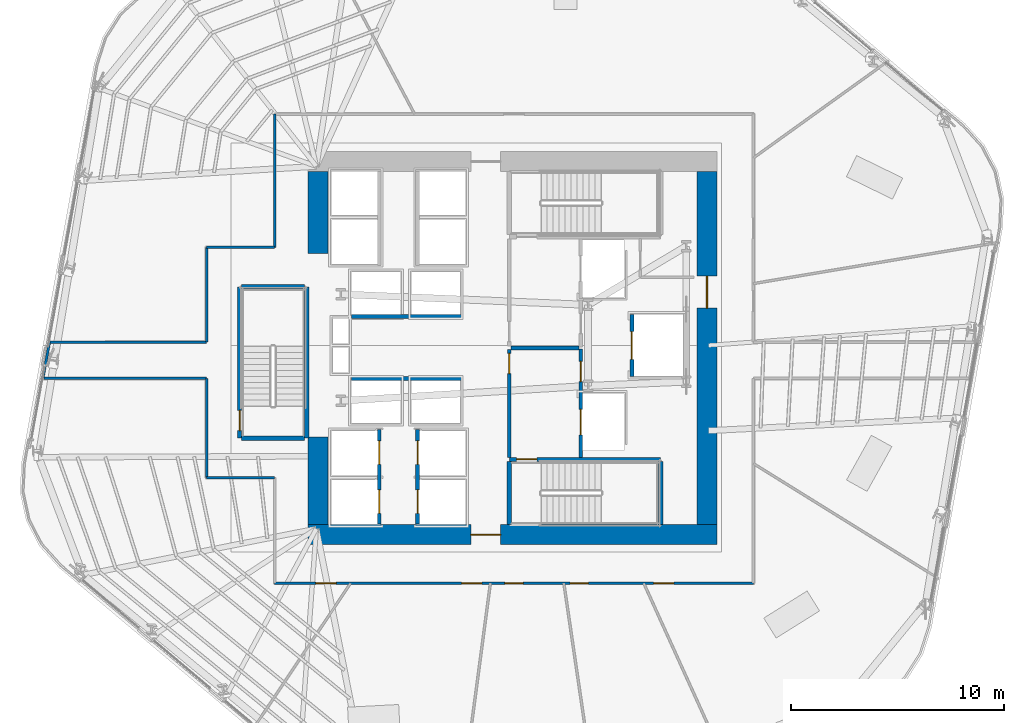
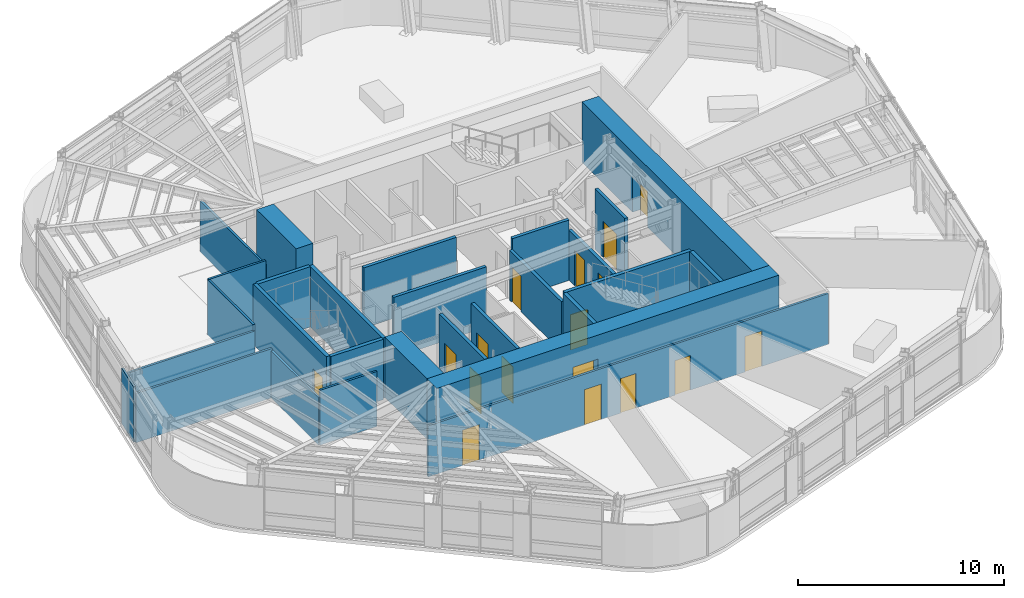
# One storey, part 9 of 18: 28 walls, 17 doors, 17 openings.
"""IFC4 building model written with IfcOpenShell, lengths in metres."""

from ifc_helpers import new_model, si_unit, direction, frame, frame_2d, origin, place, context, subcontext, project, spatial, rectangle, extrude, material, layer, layer_set, type_object, element, fill, save


model = new_model("IFC4")

# Units and contexts
model_context = context("Model", 3, precision=1e-05, world=origin(), true_north=direction((0.0, 1.0)))
body_context = subcontext(model_context, "Body", "Model", "MODEL_VIEW")
ifc_project = project(units=[si_unit("LENGTHUNIT", "METRE"), si_unit("AREAUNIT", "SQUARE_METRE"), si_unit("VOLUMEUNIT", "CUBIC_METRE"), si_unit("PLANEANGLEUNIT", "RADIAN"), si_unit("MASSUNIT", "GRAM", prefix="KILO")], contexts=[model_context])

# Site, building, storey
site_placement = place(None, origin())
site = spatial("IfcSite", under=ifc_project, at=site_placement, CompositionType="ELEMENT")
building_placement = place(site_placement, origin())
building = spatial("IfcBuilding", under=site, at=building_placement, Name="Valkerne Bourse Tower", CompositionType="ELEMENT")
storey_placement = place(building_placement, frame((0.0, 0.0, 108.60009765625)))
storey = spatial("IfcBuildingStorey", under=building, at=storey_placement, Name="L27", CompositionType="ELEMENT", Elevation=108.60009765625)

# Wall, opening, door
ifc_material_1 = material(Name="Concrete C70/85", Category="concrete")
ifc_layer_1 = layer(ifc_material_1, 0.949951171875)
ifc_layer_set_1 = layer_set([ifc_layer_1], Name="Concrete C70/85")
wall_type_1 = type_object("IfcWallType", Name="W-CORE-950", PredefinedType="SHEAR", material=ifc_layer_set_1)
wall_1_placement = place(storey_placement, frame((37.199951171875, 18.125, 0.0), z_axis=(0.0, 0.0, 1.0), x_axis=(1.0, 0.0, 0.0)))
wall_1 = element("IfcWall", 1, at=wall_1_placement, inside=storey, type_object=wall_type_1, Name="L27 Core Shear Wall SOUTH", PredefinedType="SHEAR", context=body_context, shape_type="SweptSolid", body=[
    extrude(rectangle(XDim=19.199951171875, YDim=0.949951171875, at=frame_2d((9.60009765625, 0.0))), origin(), (0.0, 0.0, 1.0), 3.579833984375),
])
opening_1_placement = place(wall_1_placement, frame((7.64990234375, 0.0, 0.0)))
opening_1 = element("IfcOpeningElement", 2, at=opening_1_placement, cuts=wall_1, Name="Opening D-PL-1400", PredefinedType="OPENING", context=body_context, shape_type="SweptSolid", body=[
    extrude(rectangle(XDim=1.39990234375, YDim=2.14990234375, at=frame_2d((0.699951171875, 1.074951171875))), frame((0.0, 0.48486328125, 0.0), z_axis=(0.0, -1.0, 0.0), x_axis=(1.0, 0.0, 0.0)), (0.0, 0.0, 1.0), 0.969970703125),
])
ifc_material_2 = material(Name="Galvanised Painted Steel", Category="steel")
door_type_1 = type_object("IfcDoorType", Name="DR-PLT-1400", OperationType="DOUBLE_DOOR_SINGLE_SWING", PredefinedType="DOOR", material=ifc_material_2)
door_1_placement = place(opening_1_placement, origin())
door_1 = element("IfcDoor", 3, at=door_1_placement, inside=storey, type_object=door_type_1, Name="L27 South Passenger Lift Hall Fire Door", OperationType="DOUBLE_DOOR_SINGLE_SWING", OverallHeight=2.14990234375, OverallWidth=1.39990234375, PredefinedType="DOOR", context=body_context, shape_type="SweptSolid", body=[
    extrude(rectangle(XDim=1.39990234375, YDim=2.14990234375, at=frame_2d((0.699951171875, 1.074951171875))), frame((0.0, 0.02490234375, 0.0), z_axis=(0.0, -1.0, 0.0), x_axis=(1.0, 0.0, 0.0)), (0.0, 0.0, 1.0), 0.050048828125),
])
fill(opening_1, door_1)

wall_2_placement = place(storey_placement, frame((55.925048828125, 18.60009765625, 0.0), z_axis=(0.0, 0.0, 1.0), x_axis=(0.0, 1.0, 0.0)))
wall_2 = element("IfcWall", 4, at=wall_2_placement, inside=storey, type_object=wall_type_1, Name="L27 Core Shear Wall EAST", PredefinedType="SHEAR", context=body_context, shape_type="SweptSolid", body=[
    extrude(rectangle(XDim=16.5498046875, YDim=0.949951171875, at=frame_2d((8.27490234375, 0.0))), origin(), (0.0, 0.0, 1.0), 3.579833984375),
])
opening_2_placement = place(wall_2_placement, frame((10.14990234375, 0.0, 0.0)))
opening_2 = element("IfcOpeningElement", 5, at=opening_2_placement, cuts=wall_2, Name="Opening D-CR-1500", PredefinedType="OPENING", context=body_context, shape_type="SweptSolid", body=[
    extrude(rectangle(XDim=1.5, YDim=2.14990234375, at=frame_2d((0.75, 1.074951171875))), frame((0.0, 0.48486328125, 0.0), z_axis=(0.0, -1.0, 0.0), x_axis=(1.0, 0.0, 0.0)), (0.0, 0.0, 1.0), 0.969970703125),
])
door_type_2 = type_object("IfcDoorType", Name="DR-CORR-1500", OperationType="DOUBLE_DOOR_SINGLE_SWING", PredefinedType="DOOR", material=ifc_material_2)
door_2_placement = place(opening_2_placement, origin())
door_2 = element("IfcDoor", 6, at=door_2_placement, inside=storey, type_object=door_type_2, Name="L27 East Core Service Lobby Fire Door", OperationType="DOUBLE_DOOR_SINGLE_SWING", OverallHeight=2.14990234375, OverallWidth=1.5, PredefinedType="DOOR", context=body_context, shape_type="SweptSolid", body=[
    extrude(rectangle(XDim=1.5, YDim=2.14990234375, at=frame_2d((0.75, 1.074951171875))), frame((0.0, 0.02490234375, 0.0), z_axis=(0.0, -1.0, 0.0), x_axis=(1.0, 0.0, 0.0)), (0.0, 0.0, 1.0), 0.050048828125),
])
fill(opening_2, door_2)

# Walls
wall_3_placement = place(storey_placement, frame((37.675048828125, 18.60009765625, 0.0), z_axis=(0.0, 0.0, 1.0), x_axis=(0.0, 1.0, 0.0)))
element("IfcWall", 7, at=wall_3_placement, inside=storey, type_object=wall_type_1, Name="L27 Core Shear Wall WEST-S", PredefinedType="SHEAR", context=body_context, shape_type="SweptSolid", body=[
    extrude(rectangle(XDim=4.099853515625, YDim=0.949951171875, at=frame_2d((2.0498046875, 0.0))), origin(), (0.0, 0.0, 1.0), 3.579833984375),
])
wall_4_placement = place(storey_placement, frame((37.675048828125, 31.300048828125, 0.0), z_axis=(0.0, 0.0, 1.0), x_axis=(0.0, 1.0, 0.0)))
element("IfcWall", 8, at=wall_4_placement, inside=storey, type_object=wall_type_1, Name="L27 Core Shear Wall WEST-N", PredefinedType="SHEAR", context=body_context, shape_type="SweptSolid", body=[
    extrude(rectangle(XDim=3.849853515625, YDim=0.949951171875, at=frame_2d((1.9248046875, 0.0))), origin(), (0.0, 0.0, 1.0), 3.579833984375),
])

# Wall, openings, doors
ifc_material_3 = material(Name="Gypsum Board Steel-Stud Partition", Category="steel")
ifc_layer_2 = layer(ifc_material_3, 0.117919921875)
ifc_layer_set_2 = layer_set([ifc_layer_2], Name="Gypsum Board Steel-Stud Partition")
wall_type_2 = type_object("IfcWallType", Name="W-CORR-140", PredefinedType="PARTITIONING", material=ifc_layer_set_2)
wall_5_placement = place(storey_placement, frame((58.10009765625, 15.85009765625, 0.0), z_axis=(0.0, 0.0, 1.0), x_axis=(-1.0, 0.0, 0.0)))
wall_5 = element("IfcWall", 9, at=wall_5_placement, inside=storey, type_object=wall_type_2, Name="L27 Corridor Enclosure Wall", PredefinedType="PARTITIONING", context=body_context, shape_type="SweptSolid", body=[
    extrude(rectangle(XDim=22.4501953125, YDim=0.117919921875, at=frame_2d((11.22509765625, 0.0))), origin(), (0.0, 0.0, 1.0), 3.021240234375),
])
opening_3_placement = place(wall_5_placement, frame((7.735107421875, 0.0, 0.0)))
opening_3 = element("IfcOpeningElement", 10, at=opening_3_placement, cuts=wall_5, Name="Opening D-WC-900", PredefinedType="OPENING", context=body_context, shape_type="SweptSolid", body=[
    extrude(rectangle(XDim=0.860107421875, YDim=2.050048828125, at=frame_2d((0.43017578125, 1.02490234375))), frame((0.0, 0.06884765625, 0.0), z_axis=(0.0, -1.0, 0.0), x_axis=(1.0, 0.0, 0.0)), (0.0, 0.0, 1.0), 0.137939453125),
])
opening_4_placement = place(wall_5_placement, frame((10.794921875, 0.0, 0.0)))
opening_4 = element("IfcOpeningElement", 11, at=opening_4_placement, cuts=wall_5, Name="Opening D-WC-900", PredefinedType="OPENING", context=body_context, shape_type="SweptSolid", body=[
    extrude(rectangle(XDim=0.860107421875, YDim=2.050048828125, at=frame_2d((0.43017578125, 1.02490234375))), frame((0.0, 0.06884765625, 0.0), z_axis=(0.0, -1.0, 0.0), x_axis=(1.0, 0.0, 0.0)), (0.0, 0.0, 1.0), 0.137939453125),
])
opening_5_placement = place(wall_5_placement, frame((12.72998046875, 0.0, 0.0)))
opening_5 = element("IfcOpeningElement", 12, at=opening_5_placement, cuts=wall_5, Name="Opening D-OF-950", PredefinedType="OPENING", context=body_context, shape_type="SweptSolid", body=[
    extrude(rectangle(XDim=0.949951171875, YDim=2.10009765625, at=frame_2d((0.47509765625, 1.050048828125))), frame((0.0, 0.06884765625, 0.0), z_axis=(0.0, -1.0, 0.0), x_axis=(1.0, 0.0, 0.0)), (0.0, 0.0, 1.0), 0.137939453125),
])
opening_6_placement = place(wall_5_placement, frame((3.72998046875, 0.0, 0.0)))
opening_6 = element("IfcOpeningElement", 13, at=opening_6_placement, cuts=wall_5, Name="Opening D-OF-950", PredefinedType="OPENING", context=body_context, shape_type="SweptSolid", body=[
    extrude(rectangle(XDim=0.949951171875, YDim=2.10009765625, at=frame_2d((0.47509765625, 1.050048828125))), frame((0.0, 0.06884765625, 0.0), z_axis=(0.0, -1.0, 0.0), x_axis=(1.0, 0.0, 0.0)), (0.0, 0.0, 1.0), 0.137939453125),
])
opening_7_placement = place(wall_5_placement, frame((19.570068359375, 0.0, 0.0)))
opening_7 = element("IfcOpeningElement", 14, at=opening_7_placement, cuts=wall_5, Name="Opening D-OF-950", PredefinedType="OPENING", context=body_context, shape_type="SweptSolid", body=[
    extrude(rectangle(XDim=0.949951171875, YDim=2.10009765625, at=frame_2d((0.47509765625, 1.050048828125))), frame((0.0, 0.06884765625, 0.0), z_axis=(0.0, -1.0, 0.0), x_axis=(1.0, 0.0, 0.0)), (0.0, 0.0, 1.0), 0.137939453125),
])
ifc_material_4 = material(Name="Architectural White Oak Timber", Category="wood")
door_type_3 = type_object("IfcDoorType", Name="DR-OFF-950", OperationType="NOTDEFINED", PredefinedType="DOOR", material=ifc_material_4)
door_3_placement = place(opening_5_placement, origin())
door_3 = element("IfcDoor", 15, at=door_3_placement, inside=storey, type_object=door_type_3, Name="L27 L27 Trading Desk Office 4 Door", OperationType="SINGLE_SWING_LEFT", OverallHeight=2.10009765625, OverallWidth=0.949951171875, PredefinedType="DOOR", context=body_context, shape_type="SweptSolid", body=[
    extrude(rectangle(XDim=0.949951171875, YDim=2.10009765625, at=frame_2d((0.47509765625, 1.050048828125))), frame((0.0, 0.02490234375, 0.0), z_axis=(0.0, -1.0, 0.0), x_axis=(1.0, 0.0, 0.0)), (0.0, 0.0, 1.0), 0.050048828125),
])
fill(opening_5, door_3)
door_4_placement = place(opening_6_placement, origin())
door_4 = element("IfcDoor", 16, at=door_4_placement, inside=storey, type_object=door_type_3, Name="L27 L27 Member Collaboration Club Salon 5 Door", OperationType="SINGLE_SWING_LEFT", OverallHeight=2.10009765625, OverallWidth=0.949951171875, PredefinedType="DOOR", context=body_context, shape_type="SweptSolid", body=[
    extrude(rectangle(XDim=0.949951171875, YDim=2.10009765625, at=frame_2d((0.47509765625, 1.050048828125))), frame((0.0, 0.02490234375, 0.0), z_axis=(0.0, -1.0, 0.0), x_axis=(1.0, 0.0, 0.0)), (0.0, 0.0, 1.0), 0.050048828125),
])
fill(opening_6, door_4)
door_5_placement = place(opening_7_placement, origin())
door_5 = element("IfcDoor", 17, at=door_5_placement, inside=storey, type_object=door_type_3, Name="L27 L27 Hospitality Catering Kitchen 8 Door", OperationType="SINGLE_SWING_RIGHT", OverallHeight=2.10009765625, OverallWidth=0.949951171875, PredefinedType="DOOR", context=body_context, shape_type="SweptSolid", body=[
    extrude(rectangle(XDim=0.949951171875, YDim=2.10009765625, at=frame_2d((0.47509765625, 1.050048828125))), frame((0.0, 0.02490234375, 0.0), z_axis=(0.0, -1.0, 0.0), x_axis=(1.0, 0.0, 0.0)), (0.0, 0.0, 1.0), 0.050048828125),
])
fill(opening_7, door_5)
door_type_4 = type_object("IfcDoorType", Name="DR-WC-900", OperationType="NOTDEFINED", PredefinedType="DOOR", material=ifc_material_4)
door_6_placement = place(opening_3_placement, origin())
door_6 = element("IfcDoor", 18, at=door_6_placement, inside=storey, type_object=door_type_4, Name="L27 L27 Men Bathroom WC 1 Door", OperationType="SINGLE_SWING_LEFT", OverallHeight=2.050048828125, OverallWidth=0.860107421875, PredefinedType="DOOR", context=body_context, shape_type="SweptSolid", body=[
    extrude(rectangle(XDim=0.860107421875, YDim=2.050048828125, at=frame_2d((0.43017578125, 1.02490234375))), frame((0.0, 0.02490234375, 0.0), z_axis=(0.0, -1.0, 0.0), x_axis=(1.0, 0.0, 0.0)), (0.0, 0.0, 1.0), 0.050048828125),
])
fill(opening_3, door_6)
door_7_placement = place(opening_4_placement, origin())
door_7 = element("IfcDoor", 19, at=door_7_placement, inside=storey, type_object=door_type_4, Name="L27 L27 Women Restroom & Shower WC 2 Door", OperationType="SINGLE_SWING_LEFT", OverallHeight=2.050048828125, OverallWidth=0.860107421875, PredefinedType="DOOR", context=body_context, shape_type="SweptSolid", body=[
    extrude(rectangle(XDim=0.860107421875, YDim=2.050048828125, at=frame_2d((0.43017578125, 1.02490234375))), frame((0.0, 0.02490234375, 0.0), z_axis=(0.0, -1.0, 0.0), x_axis=(1.0, 0.0, 0.0)), (0.0, 0.0, 1.0), 0.050048828125),
])
fill(opening_4, door_7)

# Walls
wall_6_placement = place(storey_placement, frame((35.64990234375, 20.800048828125, 0.0), z_axis=(0.0, 0.0, 1.0), x_axis=(-1.0, 0.0, 0.0)))
element("IfcWall", 20, at=wall_6_placement, inside=storey, type_object=wall_type_2, Name="L27 Corridor Enclosure Wall", PredefinedType="PARTITIONING", context=body_context, shape_type="SweptSolid", body=[
    extrude(rectangle(XDim=3.199951171875, YDim=0.117919921875, at=frame_2d((1.60009765625, 0.0))), origin(), (0.0, 0.0, 1.0), 3.260009765625),
])
wall_7_placement = place(storey_placement, frame((32.449951171875, 20.800048828125, 0.0), z_axis=(0.0, 0.0, 1.0), x_axis=(0.0, 1.0, 0.0)))
element("IfcWall", 21, at=wall_7_placement, inside=storey, type_object=wall_type_2, Name="L27 Corridor Enclosure Wall", PredefinedType="PARTITIONING", context=body_context, shape_type="SweptSolid", body=[
    extrude(rectangle(XDim=4.64990234375, YDim=0.117919921875, at=frame_2d((2.324951171875, 0.0))), origin(), (0.0, 0.0, 1.0), 2.80029296875),
])
wall_8_placement = place(storey_placement, frame((32.449951171875, 25.449951171875, 0.0), z_axis=(0.0, 0.0, 1.0), x_axis=(-1.0, 0.0, 0.0)))
element("IfcWall", 22, at=wall_8_placement, inside=storey, type_object=wall_type_2, Name="L27 Corridor Enclosure Wall", PredefinedType="PARTITIONING", context=body_context, shape_type="SweptSolid", body=[
    extrude(rectangle(XDim=7.6298828125, YDim=0.117919921875, at=frame_2d((3.81494140625, 0.0))), origin(), (0.0, 0.0, 1.0), 2.92236328125),
])
wall_9_placement = place(storey_placement, frame((24.783203125, 25.494384765625, 0.0), z_axis=(0.0, 0.0, 1.0), x_axis=(0.179179080807, 0.983816475264, 0.0)))
element("IfcWall", 23, at=wall_9_placement, inside=storey, type_object=wall_type_2, Name="L27 Corridor Enclosure Wall", PredefinedType="PARTITIONING", context=body_context, shape_type="SweptSolid", body=[
    extrude(rectangle(XDim=1.682861328125, YDim=0.117919921875, at=frame_2d((0.84130859375, 0.0))), origin(), (0.0, 0.0, 1.0), 3.27978515625),
])
wall_10_placement = place(storey_placement, frame((25.084716796875, 27.14990234375, 0.0), z_axis=(0.0, 0.0, 1.0), x_axis=(1.0, 0.0, 0.0)))
element("IfcWall", 24, at=wall_10_placement, inside=storey, type_object=wall_type_2, Name="L27 Corridor Enclosure Wall", PredefinedType="PARTITIONING", context=body_context, shape_type="SweptSolid", body=[
    extrude(rectangle(XDim=7.365234375, YDim=0.117919921875, at=frame_2d((3.6826171875, 0.0))), origin(), (0.0, 0.0, 1.0), 2.92236328125),
])
wall_11_placement = place(storey_placement, frame((32.449951171875, 27.14990234375, 0.0), z_axis=(0.0, 0.0, 1.0), x_axis=(0.0, 1.0, 0.0)))
element("IfcWall", 25, at=wall_11_placement, inside=storey, type_object=wall_type_2, Name="L27 Corridor Enclosure Wall", PredefinedType="PARTITIONING", context=body_context, shape_type="SweptSolid", body=[
    extrude(rectangle(XDim=4.4501953125, YDim=0.117919921875, at=frame_2d((2.22509765625, 0.0))), origin(), (0.0, 0.0, 1.0), 3.27978515625),
])
wall_12_placement = place(storey_placement, frame((32.449951171875, 31.60009765625, 0.0), z_axis=(0.0, 0.0, 1.0), x_axis=(1.0, 0.0, 0.0)))
element("IfcWall", 26, at=wall_12_placement, inside=storey, type_object=wall_type_2, Name="L27 Corridor Enclosure Wall", PredefinedType="PARTITIONING", context=body_context, shape_type="SweptSolid", body=[
    extrude(rectangle(XDim=3.199951171875, YDim=0.117919921875, at=frame_2d((1.60009765625, 0.0))), origin(), (0.0, 0.0, 1.0), 3.27978515625),
])
wall_13_placement = place(storey_placement, frame((35.64990234375, 31.60009765625, 0.0), z_axis=(0.0, 0.0, 1.0), x_axis=(0.0, 1.0, 0.0)))
element("IfcWall", 27, at=wall_13_placement, inside=storey, type_object=wall_type_2, Name="L27 Corridor Enclosure Wall", PredefinedType="PARTITIONING", context=body_context, shape_type="SweptSolid", body=[
    extrude(rectangle(XDim=6.25, YDim=0.117919921875, at=frame_2d((3.125, 0.0))), origin(), (0.0, 0.0, 1.0), 3.021240234375),
])
ifc_material_5 = material(Name="Gypsum Fire-Rated Shaftwall", Category="gypsum")
ifc_layer_3 = layer(ifc_material_5, 0.179931640625)
ifc_layer_set_3 = layer_set([ifc_layer_3], Name="Gypsum Fire-Rated Shaftwall")
wall_type_3 = type_object("IfcWallType", Name="W-FSAE-180", PredefinedType="PARTITIONING", material=ifc_layer_set_3)
wall_14_placement = place(storey_placement, frame((46.739990234375, 26.8798828125, 0.0), z_axis=(0.0, 0.0, 1.0), x_axis=(1.0, 0.0, 0.0)))
element("IfcWall", 28, at=wall_14_placement, inside=storey, type_object=wall_type_3, Name="L27 FSAE-1/2 Lobby Dividing Fire Wall", PredefinedType="PARTITIONING", context=body_context, shape_type="SweptSolid", body=[
    extrude(rectangle(XDim=3.169921875, YDim=0.179931640625, at=frame_2d((1.5849609375, 0.0))), origin(), (0.0, 0.0, 1.0), 3.579833984375),
])

# Wall, opening, door
wall_15_placement = place(storey_placement, frame((46.64990234375, 21.75, 0.0), z_axis=(0.0, 0.0, 1.0), x_axis=(0.0, 1.0, 0.0)))
wall_15 = element("IfcWall", 29, at=wall_15_placement, inside=storey, type_object=wall_type_3, Name="L27 FSAE-1 Lobby West Fire Wall", PredefinedType="PARTITIONING", context=body_context, shape_type="SweptSolid", body=[
    extrude(rectangle(XDim=5.050048828125, YDim=0.179931640625, at=frame_2d((2.52490234375, 0.0))), origin(), (0.0, 0.0, 1.0), 2.957763671875),
])
opening_8_placement = place(wall_15_placement, frame((3.919921875, 0.0, 0.0)))
opening_8 = element("IfcOpeningElement", 30, at=opening_8_placement, cuts=wall_15, Name="Opening D-FS-950", PredefinedType="OPENING", context=body_context, shape_type="SweptSolid", body=[
    extrude(rectangle(XDim=0.949951171875, YDim=2.10009765625, at=frame_2d((0.47509765625, 1.050048828125))), frame((0.0, 0.099853515625, 0.0), z_axis=(0.0, -1.0, 0.0), x_axis=(1.0, 0.0, 0.0)), (0.0, 0.0, 1.0), 0.199951171875),
])
door_type_5 = type_object("IfcDoorType", Name="DR-FSAE-950", OperationType="NOTDEFINED", PredefinedType="DOOR", material=ifc_material_2)
door_8_placement = place(opening_8_placement, origin())
door_8 = element("IfcDoor", 31, at=door_8_placement, inside=storey, type_object=door_type_5, Name="L27 FSAE-1 Hall Link Fire Door", OperationType="SINGLE_SWING_RIGHT", OverallHeight=2.10009765625, OverallWidth=0.949951171875, PredefinedType="DOOR", context=body_context, shape_type="SweptSolid", body=[
    extrude(rectangle(XDim=0.949951171875, YDim=2.10009765625, at=frame_2d((0.47509765625, 1.050048828125))), frame((0.0, 0.02490234375, 0.0), z_axis=(0.0, -1.0, 0.0), x_axis=(1.0, 0.0, 0.0)), (0.0, 0.0, 1.0), 0.050048828125),
])
fill(opening_8, door_8)

# Wall, openings, doors
wall_16_placement = place(storey_placement, frame((50.0, 21.75, 0.0), z_axis=(0.0, 0.0, 1.0), x_axis=(0.0, 1.0, 0.0)))
wall_16 = element("IfcWall", 32, at=wall_16_placement, inside=storey, type_object=wall_type_3, Name="L27 FSAE-1 Lobby & Shaft Front Wall", PredefinedType="PARTITIONING", context=body_context, shape_type="SweptSolid", body=[
    extrude(rectangle(XDim=5.090087890625, YDim=0.179931640625, at=frame_2d((2.544921875, 0.0))), origin(), (0.0, 0.0, 1.0), 2.957763671875),
])
opening_9_placement = place(wall_16_placement, frame((1.050048828125, 0.0, 0.0)))
opening_9 = element("IfcOpeningElement", 33, at=opening_9_placement, cuts=wall_16, Name="Opening LD-1200", PredefinedType="OPENING", context=body_context, shape_type="SweptSolid", body=[
    extrude(rectangle(XDim=1.199951171875, YDim=2.14990234375, at=frame_2d((0.60009765625, 1.074951171875))), frame((0.0, 0.099853515625, 0.0), z_axis=(0.0, -1.0, 0.0), x_axis=(1.0, 0.0, 0.0)), (0.0, 0.0, 1.0), 0.199951171875),
])
opening_10_placement = place(wall_16_placement, frame((3.550048828125, 0.0, 0.0)))
opening_10 = element("IfcOpeningElement", 34, at=opening_10_placement, cuts=wall_16, Name="Opening D-FS-950", PredefinedType="OPENING", context=body_context, shape_type="SweptSolid", body=[
    extrude(rectangle(XDim=0.949951171875, YDim=2.10009765625, at=frame_2d((0.47509765625, 1.050048828125))), frame((0.0, 0.099853515625, 0.0), z_axis=(0.0, -1.0, 0.0), x_axis=(1.0, 0.0, 0.0)), (0.0, 0.0, 1.0), 0.199951171875),
])
door_9_placement = place(opening_10_placement, origin())
door_9 = element("IfcDoor", 35, at=door_9_placement, inside=storey, type_object=door_type_5, Name="L27 FSAE-1 Lobby Corridor Fire Door", OperationType="SINGLE_SWING_RIGHT", OverallHeight=2.10009765625, OverallWidth=0.949951171875, PredefinedType="DOOR", context=body_context, shape_type="SweptSolid", body=[
    extrude(rectangle(XDim=0.949951171875, YDim=2.10009765625, at=frame_2d((0.47509765625, 1.050048828125))), frame((0.0, 0.02490234375, 0.0), z_axis=(0.0, -1.0, 0.0), x_axis=(1.0, 0.0, 0.0)), (0.0, 0.0, 1.0), 0.050048828125),
])
fill(opening_10, door_9)
ifc_material_6 = material(Name="Stainless Steel AISI 316", Category="steel")
door_type_6 = type_object("IfcDoorType", Name="DR-LIFT-1200", OperationType="DOUBLE_DOOR_SLIDING", PredefinedType="DOOR", material=ifc_material_6)
door_10_placement = place(opening_9_placement, origin())
door_10 = element("IfcDoor", 36, at=door_10_placement, inside=storey, type_object=door_type_6, Name="L27 FSAE-1 Firefighting Lift Landing Door", OperationType="DOUBLE_DOOR_SLIDING", OverallHeight=2.14990234375, OverallWidth=1.199951171875, PredefinedType="DOOR", context=body_context, shape_type="SweptSolid", body=[
    extrude(rectangle(XDim=1.199951171875, YDim=2.14990234375, at=frame_2d((0.60009765625, 1.074951171875))), frame((0.0, 0.02490234375, 0.0), z_axis=(0.0, -1.0, 0.0), x_axis=(1.0, 0.0, 0.0)), (0.0, 0.0, 1.0), 0.050048828125),
])
fill(opening_9, door_10)

# Wall, opening, door
ifc_material_7 = material(Name="CMU Blockwork Masonry 200mm", Category="masonry")
ifc_layer_4 = layer(ifc_material_7, 0.179931640625)
ifc_layer_set_4 = layer_set([ifc_layer_4], Name="CMU Blockwork Masonry 200mm")
wall_type_4 = type_object("IfcWallType", Name="W-LFT-180", PredefinedType="SOLIDWALL", material=ifc_layer_set_4)
wall_17_placement = place(storey_placement, frame((52.39990234375, 25.550048828125, 0.0), z_axis=(0.0, 0.0, 1.0), x_axis=(0.0, 1.0, 0.0)))
wall_17 = element("IfcWall", 37, at=wall_17_placement, inside=storey, type_object=wall_type_4, Name="L27 Service Lift SV-1 Front Wall", PredefinedType="SOLIDWALL", context=body_context, shape_type="SweptSolid", body=[
    extrude(rectangle(XDim=2.89990234375, YDim=0.179931640625, at=frame_2d((1.449951171875, 0.0))), origin(), (0.0, 0.0, 1.0), 3.579833984375),
])
opening_11_placement = place(wall_17_placement, frame((0.800048828125, 0.0, 0.0)))
opening_11 = element("IfcOpeningElement", 38, at=opening_11_placement, cuts=wall_17, Name="Opening LD-1300", PredefinedType="OPENING", context=body_context, shape_type="SweptSolid", body=[
    extrude(rectangle(XDim=1.300048828125, YDim=2.14990234375, at=frame_2d((0.64990234375, 1.074951171875))), frame((0.0, 0.099853515625, 0.0), z_axis=(0.0, -1.0, 0.0), x_axis=(1.0, 0.0, 0.0)), (0.0, 0.0, 1.0), 0.199951171875),
])
door_type_7 = type_object("IfcDoorType", Name="DR-LIFT-1300", OperationType="DOUBLE_DOOR_SLIDING", PredefinedType="DOOR", material=ifc_material_6)
door_11_placement = place(opening_11_placement, origin())
door_11 = element("IfcDoor", 39, at=door_11_placement, inside=storey, type_object=door_type_7, Name="L27 Service Lift SV-1 Landing Door", OperationType="DOUBLE_DOOR_SLIDING", OverallHeight=2.14990234375, OverallWidth=1.300048828125, PredefinedType="DOOR", context=body_context, shape_type="SweptSolid", body=[
    extrude(rectangle(XDim=1.300048828125, YDim=2.14990234375, at=frame_2d((0.64990234375, 1.074951171875))), frame((0.0, 0.02490234375, 0.0), z_axis=(0.0, -1.0, 0.0), x_axis=(1.0, 0.0, 0.0)), (0.0, 0.0, 1.0), 0.050048828125),
])
fill(opening_11, door_11)

# Wall, openings, doors
wall_18_placement = place(storey_placement, frame((40.550048828125, 18.6201171875, 0.0), z_axis=(0.0, 0.0, 1.0), x_axis=(0.0, 1.0, 0.0)))
wall_18 = element("IfcWall", 40, at=wall_18_placement, inside=storey, type_object=wall_type_4, Name="L27 Low-Zone West Cars Front Wall", PredefinedType="SOLIDWALL", context=body_context, shape_type="SweptSolid", body=[
    extrude(rectangle(XDim=4.429931640625, YDim=0.179931640625, at=frame_2d((2.21484375, 0.0))), origin(), (0.0, 0.0, 1.0), 3.579833984375),
])
opening_12_placement = place(wall_18_placement, frame((0.5, 0.0, 0.0)))
opening_12 = element("IfcOpeningElement", 41, at=opening_12_placement, cuts=wall_18, Name="Opening LD-1100", PredefinedType="OPENING", context=body_context, shape_type="SweptSolid", body=[
    extrude(rectangle(XDim=1.10009765625, YDim=2.14990234375, at=frame_2d((0.550048828125, 1.074951171875))), frame((0.0, 0.099853515625, 0.0), z_axis=(0.0, -1.0, 0.0), x_axis=(1.0, 0.0, 0.0)), (0.0, 0.0, 1.0), 0.199951171875),
])
opening_13_placement = place(wall_18_placement, frame((2.800048828125, 0.0, 0.0)))
opening_13 = element("IfcOpeningElement", 42, at=opening_13_placement, cuts=wall_18, Name="Opening LD-1100", PredefinedType="OPENING", context=body_context, shape_type="SweptSolid", body=[
    extrude(rectangle(XDim=1.10009765625, YDim=2.14990234375, at=frame_2d((0.550048828125, 1.074951171875))), frame((0.0, 0.099853515625, 0.0), z_axis=(0.0, -1.0, 0.0), x_axis=(1.0, 0.0, 0.0)), (0.0, 0.0, 1.0), 0.199951171875),
])
door_type_8 = type_object("IfcDoorType", Name="DR-LIFT-1100", OperationType="DOUBLE_DOOR_SLIDING", PredefinedType="DOOR", material=ifc_material_6)
door_12_placement = place(opening_12_placement, origin())
door_12 = element("IfcDoor", 43, at=door_12_placement, inside=storey, type_object=door_type_8, Name="L27 Passenger Lift PL-L1 Sliding Landing Door", OperationType="DOUBLE_DOOR_SLIDING", OverallHeight=2.14990234375, OverallWidth=1.10009765625, PredefinedType="DOOR", context=body_context, shape_type="SweptSolid", body=[
    extrude(rectangle(XDim=1.10009765625, YDim=2.14990234375, at=frame_2d((0.550048828125, 1.074951171875))), frame((0.0, 0.02490234375, 0.0), z_axis=(0.0, -1.0, 0.0), x_axis=(1.0, 0.0, 0.0)), (0.0, 0.0, 1.0), 0.050048828125),
])
fill(opening_12, door_12)
door_13_placement = place(opening_13_placement, origin())
door_13 = element("IfcDoor", 44, at=door_13_placement, inside=storey, type_object=door_type_8, Name="L27 Passenger Lift PL-L2 Sliding Landing Door", OperationType="DOUBLE_DOOR_SLIDING", OverallHeight=2.14990234375, OverallWidth=1.10009765625, PredefinedType="DOOR", context=body_context, shape_type="SweptSolid", body=[
    extrude(rectangle(XDim=1.10009765625, YDim=2.14990234375, at=frame_2d((0.550048828125, 1.074951171875))), frame((0.0, 0.02490234375, 0.0), z_axis=(0.0, -1.0, 0.0), x_axis=(1.0, 0.0, 0.0)), (0.0, 0.0, 1.0), 0.050048828125),
])
fill(opening_13, door_13)

wall_19_placement = place(storey_placement, frame((42.35009765625, 18.6201171875, 0.0), z_axis=(0.0, 0.0, 1.0), x_axis=(0.0, 1.0, 0.0)))
wall_19 = element("IfcWall", 45, at=wall_19_placement, inside=storey, type_object=wall_type_4, Name="L27 Low-Zone East Cars Front Wall", PredefinedType="SOLIDWALL", context=body_context, shape_type="SweptSolid", body=[
    extrude(rectangle(XDim=4.429931640625, YDim=0.179931640625, at=frame_2d((2.21484375, 0.0))), origin(), (0.0, 0.0, 1.0), 3.579833984375),
])
opening_14_placement = place(wall_19_placement, frame((0.5, 0.0, 0.0)))
opening_14 = element("IfcOpeningElement", 46, at=opening_14_placement, cuts=wall_19, Name="Opening LD-1100", PredefinedType="OPENING", context=body_context, shape_type="SweptSolid", body=[
    extrude(rectangle(XDim=1.10009765625, YDim=2.14990234375, at=frame_2d((0.550048828125, 1.074951171875))), frame((0.0, 0.099853515625, 0.0), z_axis=(0.0, -1.0, 0.0), x_axis=(1.0, 0.0, 0.0)), (0.0, 0.0, 1.0), 0.199951171875),
])
opening_15_placement = place(wall_19_placement, frame((2.800048828125, 0.0, 0.0)))
opening_15 = element("IfcOpeningElement", 47, at=opening_15_placement, cuts=wall_19, Name="Opening LD-1100", PredefinedType="OPENING", context=body_context, shape_type="SweptSolid", body=[
    extrude(rectangle(XDim=1.10009765625, YDim=2.14990234375, at=frame_2d((0.550048828125, 1.074951171875))), frame((0.0, 0.099853515625, 0.0), z_axis=(0.0, -1.0, 0.0), x_axis=(1.0, 0.0, 0.0)), (0.0, 0.0, 1.0), 0.199951171875),
])
door_14_placement = place(opening_14_placement, origin())
door_14 = element("IfcDoor", 48, at=door_14_placement, inside=storey, type_object=door_type_8, Name="L27 Passenger Lift PL-L3 Sliding Landing Door", OperationType="DOUBLE_DOOR_SLIDING", OverallHeight=2.14990234375, OverallWidth=1.10009765625, PredefinedType="DOOR", context=body_context, shape_type="SweptSolid", body=[
    extrude(rectangle(XDim=1.10009765625, YDim=2.14990234375, at=frame_2d((0.550048828125, 1.074951171875))), frame((0.0, 0.02490234375, 0.0), z_axis=(0.0, -1.0, 0.0), x_axis=(1.0, 0.0, 0.0)), (0.0, 0.0, 1.0), 0.050048828125),
])
fill(opening_14, door_14)
door_15_placement = place(opening_15_placement, origin())
door_15 = element("IfcDoor", 49, at=door_15_placement, inside=storey, type_object=door_type_8, Name="L27 Passenger Lift PL-L4 Sliding Landing Door", OperationType="DOUBLE_DOOR_SLIDING", OverallHeight=2.14990234375, OverallWidth=1.10009765625, PredefinedType="DOOR", context=body_context, shape_type="SweptSolid", body=[
    extrude(rectangle(XDim=1.10009765625, YDim=2.14990234375, at=frame_2d((0.550048828125, 1.074951171875))), frame((0.0, 0.02490234375, 0.0), z_axis=(0.0, -1.0, 0.0), x_axis=(1.0, 0.0, 0.0)), (0.0, 0.0, 1.0), 0.050048828125),
])
fill(opening_15, door_15)

# Walls
for number, where, z_axis, x_axis, name in (
    (50, (39.25, 25.449951171875, 0.0), (0.0, 0.0, 1.0), (1.0, 0.0, 0.0), "L27 High-Zone South Cars Front Wall"),
    (51, (39.25, 28.35009765625, 0.0), (0.0, 0.0, 1.0), (1.0, 0.0, 0.0), "L27 High-Zone North Cars Front Wall"),
):
    element("IfcWall", number, at=place(storey_placement, frame(where, z_axis=z_axis, x_axis=x_axis)), inside=storey, type_object=wall_type_4, Name=name, PredefinedType="SOLIDWALL", context=body_context, shape_type="SweptSolid", body=[
        extrude(rectangle(XDim=5.199951171875, YDim=0.179931640625, at=frame_2d((2.60009765625, 0.0))), origin(), (0.0, 0.0, 1.0), 3.579833984375),
    ])

# Wall, opening, door
ifc_material_8 = material(Name="Concrete C40/50", Category="concrete")
ifc_layer_5 = layer(ifc_material_8, 0.199951171875)
ifc_layer_set_5 = layer_set([ifc_layer_5], Name="Concrete C40/50")
wall_type_5 = type_object("IfcWallType", Name="W-SHF-200", PredefinedType="SHEAR", material=ifc_layer_set_5)
wall_20_placement = place(storey_placement, frame((46.64990234375, 21.64990234375, 0.0), z_axis=(0.0, 0.0, 1.0), x_axis=(1.0, 0.0, 0.0)))
wall_20 = element("IfcWall", 52, at=wall_20_placement, inside=storey, type_object=wall_type_5, Name="L27 Exit Stair ST-1 Structural Shaft Wall North", PredefinedType="SHEAR", context=body_context, shape_type="SweptSolid", body=[
    extrude(rectangle(XDim=7.10009765625, YDim=0.199951171875, at=frame_2d((3.550048828125, 0.0))), origin(), (0.0, 0.0, 1.0), 3.579833984375),
])
opening_16_placement = place(wall_20_placement, frame((0.35009765625, 0.0, 0.0)))
opening_16 = element("IfcOpeningElement", 53, at=opening_16_placement, cuts=wall_20, Name="Opening D-ST-950", PredefinedType="OPENING", context=body_context, shape_type="SweptSolid", body=[
    extrude(rectangle(XDim=0.949951171875, YDim=2.10009765625, at=frame_2d((0.47509765625, 1.050048828125))), frame((0.0, 0.10986328125, 0.0), z_axis=(0.0, -1.0, 0.0), x_axis=(1.0, 0.0, 0.0)), (0.0, 0.0, 1.0), 0.219970703125),
])
door_type_9 = type_object("IfcDoorType", Name="DR-STAIR-950", OperationType="NOTDEFINED", PredefinedType="DOOR", material=ifc_material_2)
door_16_placement = place(opening_16_placement, origin())
door_16 = element("IfcDoor", 54, at=door_16_placement, inside=storey, type_object=door_type_9, Name="L27 Exit Stair ST-1 Door", OperationType="SINGLE_SWING_RIGHT", OverallHeight=2.10009765625, OverallWidth=0.949951171875, PredefinedType="DOOR", context=body_context, shape_type="SweptSolid", body=[
    extrude(rectangle(XDim=0.949951171875, YDim=2.10009765625, at=frame_2d((0.47509765625, 1.050048828125))), frame((0.0, 0.02490234375, 0.0), z_axis=(0.0, -1.0, 0.0), x_axis=(1.0, 0.0, 0.0)), (0.0, 0.0, 1.0), 0.050048828125),
])
fill(opening_16, door_16)

# Walls
for number, where, z_axis, x_axis, name in (
    (55, (46.64990234375, 18.60009765625, 0.0), (0.0, 0.0, 1.0), (0.0, 1.0, 0.0), "L27 Exit Stair ST-1 Structural Shaft Wall West"),
    (56, (53.75, 18.60009765625, 0.0), (0.0, 0.0, 1.0), (0.0, 1.0, 0.0), "L27 Exit Stair ST-1 Structural Shaft Wall East"),
):
    element("IfcWall", number, at=place(storey_placement, frame(where, z_axis=z_axis, x_axis=x_axis)), inside=storey, type_object=wall_type_5, Name=name, PredefinedType="SHEAR", context=body_context, shape_type="SweptSolid", body=[
        extrude(rectangle(XDim=2.949951171875, YDim=0.199951171875, at=frame_2d((1.47509765625, 0.0))), origin(), (0.0, 0.0, 1.0), 3.579833984375),
    ])

# Wall, opening, door
wall_21_placement = place(storey_placement, frame((34.0, 22.64990234375, 0.0), z_axis=(0.0, 0.0, 1.0), x_axis=(0.0, 1.0, 0.0)))
wall_21 = element("IfcWall", 57, at=wall_21_placement, inside=storey, type_object=wall_type_5, Name="L27 Exit Stair ST-3 Structural Shaft Wall West", PredefinedType="SHEAR", context=body_context, shape_type="SweptSolid", body=[
    extrude(rectangle(XDim=7.10009765625, YDim=0.199951171875, at=frame_2d((3.550048828125, 0.0))), origin(), (0.0, 0.0, 1.0), 3.579833984375),
])
opening_17_placement = place(wall_21_placement, frame((0.35009765625, 0.0, 0.0)))
opening_17 = element("IfcOpeningElement", 58, at=opening_17_placement, cuts=wall_21, Name="Opening D-ST-950", PredefinedType="OPENING", context=body_context, shape_type="SweptSolid", body=[
    extrude(rectangle(XDim=0.949951171875, YDim=2.10009765625, at=frame_2d((0.47509765625, 1.050048828125))), frame((0.0, 0.10986328125, 0.0), z_axis=(0.0, -1.0, 0.0), x_axis=(1.0, 0.0, 0.0)), (0.0, 0.0, 1.0), 0.219970703125),
])
door_17_placement = place(opening_17_placement, origin())
door_17 = element("IfcDoor", 59, at=door_17_placement, inside=storey, type_object=door_type_9, Name="L27 Exit Stair ST-3 Door", OperationType="SINGLE_SWING_RIGHT", OverallHeight=2.10009765625, OverallWidth=0.949951171875, PredefinedType="DOOR", context=body_context, shape_type="SweptSolid", body=[
    extrude(rectangle(XDim=0.949951171875, YDim=2.10009765625, at=frame_2d((0.47509765625, 1.050048828125))), frame((0.0, 0.02490234375, 0.0), z_axis=(0.0, -1.0, 0.0), x_axis=(1.0, 0.0, 0.0)), (0.0, 0.0, 1.0), 0.050048828125),
])
fill(opening_17, door_17)

# Walls
for number, where, z_axis, x_axis, name in (
    (60, (34.10009765625, 22.64990234375, 0.0), (0.0, 0.0, 1.0), (1.0, 0.0, 0.0), "L27 Exit Stair ST-3 Structural Shaft Wall South"),
    (61, (34.10009765625, 29.75, 0.0), (0.0, 0.0, 1.0), (1.0, 0.0, 0.0), "L27 Exit Stair ST-3 Structural Shaft Wall North"),
):
    element("IfcWall", number, at=place(storey_placement, frame(where, z_axis=z_axis, x_axis=x_axis)), inside=storey, type_object=wall_type_5, Name=name, PredefinedType="SHEAR", context=body_context, shape_type="SweptSolid", body=[
        extrude(rectangle(XDim=2.949951171875, YDim=0.199951171875, at=frame_2d((1.47509765625, 0.0))), origin(), (0.0, 0.0, 1.0), 3.579833984375),
    ])
wall_22_placement = place(storey_placement, frame((37.14990234375, 22.64990234375, 0.0), z_axis=(0.0, 0.0, 1.0), x_axis=(0.0, 1.0, 0.0)))
element("IfcWall", 62, at=wall_22_placement, inside=storey, type_object=wall_type_5, Name="L27 Exit Stair ST-3 Structural Shaft Wall East", PredefinedType="SHEAR", context=body_context, shape_type="SweptSolid", body=[
    extrude(rectangle(XDim=7.10009765625, YDim=0.199951171875, at=frame_2d((3.550048828125, 0.0))), origin(), (0.0, 0.0, 1.0), 3.579833984375),
])

save(model, "model.ifc")
